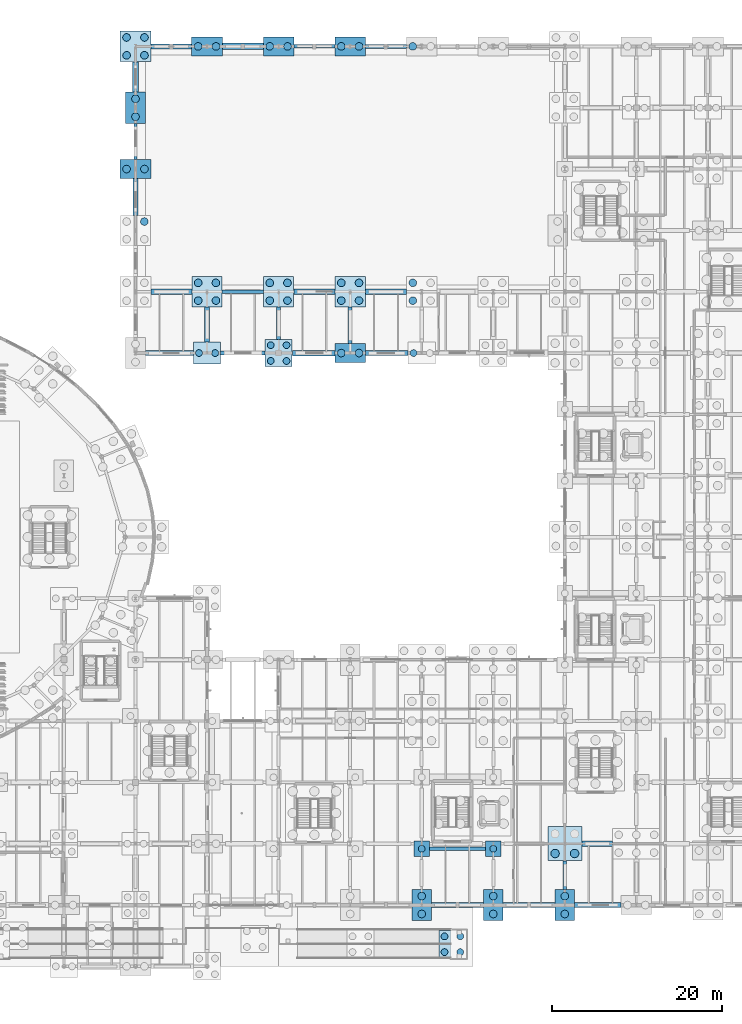
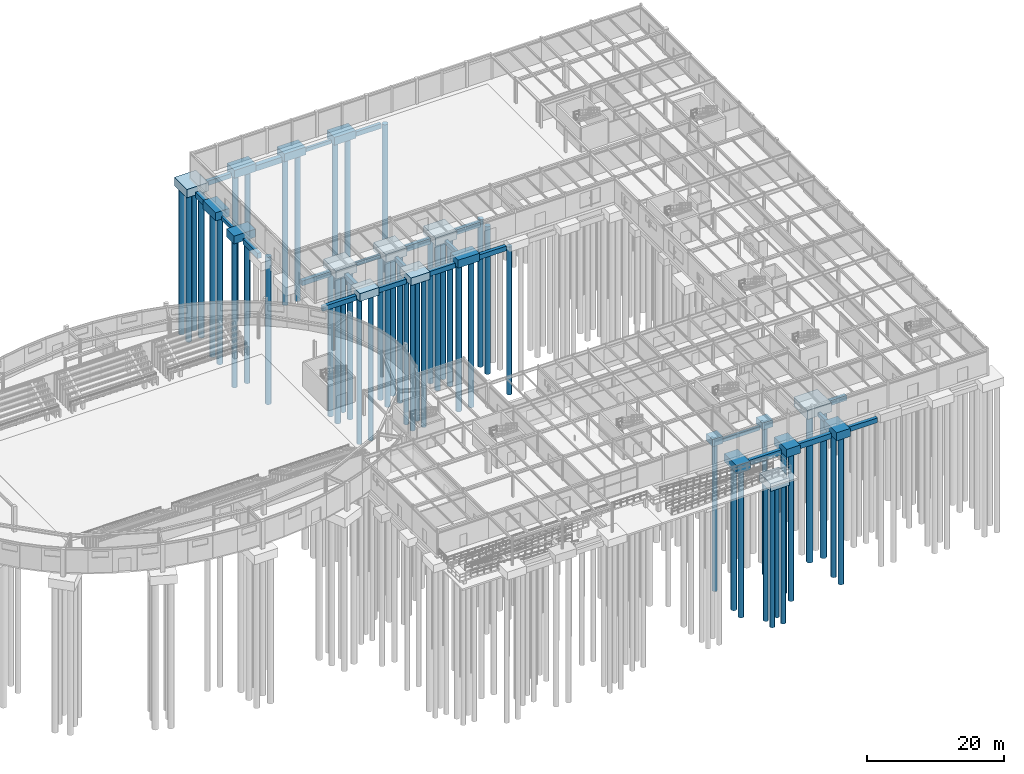
# One storey, part 5 of 93: 53 piles, 43 footings.
"""IFC4 building model written with IfcOpenShell, lengths in metres."""

from ifc_helpers import new_model, si_unit, derived_unit, direction, frame, origin, origin_2d, place, context, subcontext, project, spatial, rectangle, circle, extrude, material, material_profile, profile_set, type_object, element, save


model = new_model("IFC4")

# Units and contexts
model_context = context("Model", 3, precision=1e-05, world=origin(), true_north=direction((0.0, 1.0)))
body_context = subcontext(model_context, "Body", "Model", "MODEL_VIEW")
ifc_project = project(units=[si_unit("LENGTHUNIT", "METRE"), si_unit("AREAUNIT", "SQUARE_METRE"), si_unit("VOLUMEUNIT", "CUBIC_METRE"), si_unit("PLANEANGLEUNIT", "RADIAN"), si_unit("MASSUNIT", "GRAM", prefix="KILO"), derived_unit("THERMALTRANSMITTANCEUNIT", [(si_unit("MASSUNIT", "GRAM", prefix="KILO"), 1), (si_unit("TIMEUNIT", "SECOND"), -3), (si_unit("THERMODYNAMICTEMPERATUREUNIT", "KELVIN"), -1)])], contexts=[model_context])

# Site, building, storey
site_placement = place(None, origin())
site = spatial("IfcSite", under=ifc_project, at=site_placement, CompositionType="ELEMENT")
building_placement = place(site_placement, origin())
building = spatial("IfcBuilding", under=site, at=building_placement, Name="Kharveza Railside Sports Centre", CompositionType="ELEMENT")
storey_placement = place(building_placement, origin())
storey = spatial("IfcBuildingStorey", under=building, at=storey_placement, Name="L00", CompositionType="ELEMENT", Elevation=0.0)

# Footings
ifc_material = material(Name="Concrete C35/45", Category="concrete")
ifc_material_profile_1 = material_profile(ifc_material, rectangle(XDim=0.60009765625, YDim=0.800048828125, at=origin_2d()), Name="GB 600x800")
ifc_profile_set_1 = profile_set([ifc_material_profile_1], Name="Concrete C35/45")
footing_type_1 = type_object("IfcFootingType", Name="FT-GB01", PredefinedType="FOOTING_BEAM", material=ifc_profile_set_1)
footing_1_placement = place(storey_placement, frame((94.202880859375, 108.0, -1.800048828125), z_axis=(1.0, 0.0, 0.0), x_axis=(0.0, 1.0, 0.0)))
element("IfcFooting", 1, at=footing_1_placement, inside=storey, type_object=footing_type_1, Name="GB-EW-051", PredefinedType="FOOTING_BEAM", context=body_context, shape_type="SweptSolid", body=[
    extrude(rectangle(XDim=0.60009765625, YDim=0.800048828125, at=origin_2d()), origin(), (0.0, 0.0, 1.0), 4.794189453125),
])
ifc_material_profile_2 = material_profile(ifc_material, rectangle(XDim=0.550048828125, YDim=0.85009765625, at=origin_2d()), Name="GB 550x850")
ifc_profile_set_2 = profile_set([ifc_material_profile_2], Name="Concrete C35/45")
footing_type_2 = type_object("IfcFootingType", Name="FT-GB04", PredefinedType="FOOTING_BEAM", material=ifc_profile_set_2)
footing_2_placement = place(storey_placement, frame((93.552978515625, 72.0, -1.824951171875), z_axis=(1.0, 0.0, 0.0), x_axis=(0.0, 1.0, 0.0)))
element("IfcFooting", 2, at=footing_2_placement, inside=storey, type_object=footing_type_2, Name="GB-EW-044", PredefinedType="FOOTING_BEAM", context=body_context, shape_type="SweptSolid", body=[
    extrude(rectangle(XDim=0.550048828125, YDim=0.85009765625, at=origin_2d()), origin(), (0.0, 0.0, 1.0), 5.64404296875),
])
footing_3_placement = place(storey_placement, frame((119.403076171875, 72.0, -1.824951171875), z_axis=(1.0, 0.0, 0.0), x_axis=(0.0, 1.0, 0.0)))
element("IfcFooting", 3, at=footing_3_placement, inside=storey, type_object=footing_type_2, Name="GB-EW-074", PredefinedType="FOOTING_BEAM", context=body_context, shape_type="SweptSolid", body=[
    extrude(rectangle(XDim=0.550048828125, YDim=0.85009765625, at=origin_2d()), origin(), (0.0, 0.0, 1.0), 4.993896484375),
])
footing_4_placement = place(storey_placement, frame((143.952880859375, 7.199951171875, -1.824951171875), z_axis=(1.0, 0.0, 0.0), x_axis=(0.0, 1.0, 0.0)))
element("IfcFooting", 4, at=footing_4_placement, inside=storey, type_object=footing_type_2, Name="GB-EW-094", PredefinedType="FOOTING_BEAM", context=body_context, shape_type="SweptSolid", body=[
    extrude(rectangle(XDim=0.550048828125, YDim=0.85009765625, at=origin_2d()), origin(), (0.0, 0.0, 1.0), 5.444091796875),
])
ifc_material_profile_3 = material_profile(ifc_material, rectangle(XDim=0.449951171875, YDim=0.699951171875, at=origin_2d()), Name="GB 450x700")
ifc_profile_set_3 = profile_set([ifc_material_profile_3], Name="Concrete C35/45")
footing_type_3 = type_object("IfcFootingType", Name="FT-GB05", PredefinedType="FOOTING_BEAM", material=ifc_profile_set_3)
footing_5_placement = place(storey_placement, frame((117.60009765625, 73.10302734375, -1.75), z_axis=(0.0, 1.0, 0.0), x_axis=(-1.0, 0.0, 0.0)))
element("IfcFooting", 5, at=footing_5_placement, inside=storey, type_object=footing_type_3, Name="GB-NS-075", PredefinedType="FOOTING_BEAM", context=body_context, shape_type="SweptSolid", body=[
    extrude(rectangle(XDim=0.449951171875, YDim=0.699951171875, at=origin_2d()), origin(), (0.0, 0.0, 1.0), 4.319091796875),
])
footing_6_placement = place(storey_placement, frame((142.800048828125, 9.028076171875, -1.75), z_axis=(0.0, 1.0, 0.0), x_axis=(-1.0, 0.0, 0.0)))
element("IfcFooting", 6, at=footing_6_placement, inside=storey, type_object=footing_type_3, Name="GB-NS-095", PredefinedType="FOOTING_BEAM", context=body_context, shape_type="SweptSolid", body=[
    extrude(rectangle(XDim=0.449951171875, YDim=0.699951171875, at=origin_2d()), origin(), (0.0, 0.0, 1.0), 3.368896484375),
])
ifc_material_profile_4 = material_profile(ifc_material, rectangle(XDim=0.64990234375, YDim=0.85009765625, at=origin_2d()), Name="GB 650x850")
ifc_profile_set_4 = profile_set([ifc_material_profile_4], Name="Concrete C35/45")
footing_type_4 = type_object("IfcFootingType", Name="FT-GB06", PredefinedType="FOOTING_BEAM", material=ifc_profile_set_4)
footing_7_placement = place(storey_placement, frame((94.202880859375, 79.199951171875, -1.824951171875), z_axis=(1.0, 0.0, 0.0), x_axis=(0.0, 1.0, 0.0)))
element("IfcFooting", 7, at=footing_7_placement, inside=storey, type_object=footing_type_4, Name="GB-EW-046", PredefinedType="FOOTING_BEAM", context=body_context, shape_type="SweptSolid", body=[
    extrude(rectangle(XDim=0.64990234375, YDim=0.85009765625, at=origin_2d()), origin(), (0.0, 0.0, 1.0), 4.819091796875),
])
footing_8_placement = place(storey_placement, frame((110.802978515625, 72.0, -1.824951171875), z_axis=(1.0, 0.0, 0.0), x_axis=(0.0, 1.0, 0.0)))
element("IfcFooting", 8, at=footing_8_placement, inside=storey, type_object=footing_type_4, Name="GB-EW-066", PredefinedType="FOOTING_BEAM", context=body_context, shape_type="SweptSolid", body=[
    extrude(rectangle(XDim=0.64990234375, YDim=0.85009765625, at=origin_2d()), origin(), (0.0, 0.0, 1.0), 4.994140625),
])
footing_9_placement = place(storey_placement, frame((119.3779296875, 79.199951171875, -1.824951171875), z_axis=(1.0, 0.0, 0.0), x_axis=(0.0, 1.0, 0.0)))
element("IfcFooting", 9, at=footing_9_placement, inside=storey, type_object=footing_type_4, Name="GB-EW-076", PredefinedType="FOOTING_BEAM", context=body_context, shape_type="SweptSolid", body=[
    extrude(rectangle(XDim=0.64990234375, YDim=0.85009765625, at=origin_2d()), origin(), (0.0, 0.0, 1.0), 4.843994140625),
])
footing_10_placement = place(storey_placement, frame((144.802978515625, 14.39990234375, -1.824951171875), z_axis=(1.0, 0.0, 0.0), x_axis=(0.0, 1.0, 0.0)))
element("IfcFooting", 10, at=footing_10_placement, inside=storey, type_object=footing_type_4, Name="GB-EW-096", PredefinedType="FOOTING_BEAM", context=body_context, shape_type="SweptSolid", body=[
    extrude(rectangle(XDim=0.64990234375, YDim=0.85009765625, at=origin_2d()), origin(), (0.0, 0.0, 1.0), 3.593994140625),
])
ifc_material_profile_5 = material_profile(ifc_material, rectangle(XDim=0.5, YDim=0.85009765625, at=origin_2d()), Name="GB 500x850")
ifc_profile_set_5 = profile_set([ifc_material_profile_5], Name="Concrete C35/45")
footing_type_5 = type_object("IfcFootingType", Name="FT-GB07", PredefinedType="FOOTING_BEAM", material=ifc_profile_set_5)
footing_11_placement = place(storey_placement, frame((102.403076171875, 72.0, -1.824951171875), z_axis=(1.0, 0.0, 0.0), x_axis=(0.0, 1.0, 0.0)))
element("IfcFooting", 11, at=footing_11_placement, inside=storey, type_object=footing_type_5, Name="GB-EW-057", PredefinedType="FOOTING_BEAM", context=body_context, shape_type="SweptSolid", body=[
    extrude(rectangle(XDim=0.5, YDim=0.85009765625, at=origin_2d()), origin(), (0.0, 0.0, 1.0), 5.19384765625),
])
footing_12_placement = place(storey_placement, frame((109.199951171875, 73.60302734375, -1.824951171875), z_axis=(0.0, 1.0, 0.0), x_axis=(-1.0, 0.0, 0.0)))
element("IfcFooting", 12, at=footing_12_placement, inside=storey, type_object=footing_type_5, Name="GB-NS-067", PredefinedType="FOOTING_BEAM", context=body_context, shape_type="SweptSolid", body=[
    extrude(rectangle(XDim=0.5, YDim=0.85009765625, at=origin_2d()), origin(), (0.0, 0.0, 1.0), 3.819091796875),
])
footing_13_placement = place(storey_placement, frame((119.403076171875, 108.0, -1.824951171875), z_axis=(1.0, 0.0, 0.0), x_axis=(0.0, 1.0, 0.0)))
element("IfcFooting", 13, at=footing_13_placement, inside=storey, type_object=footing_type_5, Name="GB-EW-077", PredefinedType="FOOTING_BEAM", context=body_context, shape_type="SweptSolid", body=[
    extrude(rectangle(XDim=0.5, YDim=0.85009765625, at=origin_2d()), origin(), (0.0, 0.0, 1.0), 4.7939453125),
])
ifc_material_profile_6 = material_profile(ifc_material, rectangle(XDim=0.60009765625, YDim=0.949951171875, at=origin_2d()), Name="GB 600x950")
ifc_profile_set_6 = profile_set([ifc_material_profile_6], Name="Concrete C35/45")
footing_type_6 = type_object("IfcFootingType", Name="FT-GB08", PredefinedType="FOOTING_BEAM", material=ifc_profile_set_6)
footing_14_placement = place(storey_placement, frame((92.39990234375, 88.177978515625, -1.875), z_axis=(0.0, 1.0, 0.0), x_axis=(-1.0, 0.0, 0.0)))
element("IfcFooting", 14, at=footing_14_placement, inside=storey, type_object=footing_type_6, Name="GB-NS-048", PredefinedType="FOOTING_BEAM", context=body_context, shape_type="SweptSolid", body=[
    extrude(rectangle(XDim=0.60009765625, YDim=0.949951171875, at=origin_2d()), origin(), (0.0, 0.0, 1.0), 4.319091796875),
])
footing_15_placement = place(storey_placement, frame((100.800048828125, 73.302978515625, -1.875), z_axis=(0.0, 1.0, 0.0), x_axis=(-1.0, 0.0, 0.0)))
element("IfcFooting", 15, at=footing_15_placement, inside=storey, type_object=footing_type_6, Name="GB-NS-058", PredefinedType="FOOTING_BEAM", context=body_context, shape_type="SweptSolid", body=[
    extrude(rectangle(XDim=0.60009765625, YDim=0.949951171875, at=origin_2d()), origin(), (0.0, 0.0, 1.0), 4.119140625),
])
footing_16_placement = place(storey_placement, frame((110.97802734375, 79.199951171875, -1.875), z_axis=(1.0, 0.0, 0.0), x_axis=(0.0, 1.0, 0.0)))
element("IfcFooting", 16, at=footing_16_placement, inside=storey, type_object=footing_type_6, Name="GB-EW-068", PredefinedType="FOOTING_BEAM", context=body_context, shape_type="SweptSolid", body=[
    extrude(rectangle(XDim=0.60009765625, YDim=0.949951171875, at=origin_2d()), origin(), (0.0, 0.0, 1.0), 4.843994140625),
])
for number, where, z_axis, x_axis, name in (
    (17, (127.153076171875, 7.199951171875, -1.875), (1.0, 0.0, 0.0), (0.0, 1.0, 0.0), "GB-EW-078"),
    (18, (135.552978515625, 7.199951171875, -1.875), (1.0, 0.0, 0.0), (0.0, 1.0, 0.0), "GB-EW-088"),
):
    element("IfcFooting", number, at=place(storey_placement, frame(where, z_axis=z_axis, x_axis=x_axis)), inside=storey, type_object=footing_type_6, Name=name, PredefinedType="FOOTING_BEAM", context=body_context, shape_type="SweptSolid", body=[
        extrude(rectangle(XDim=0.60009765625, YDim=0.949951171875, at=origin_2d()), origin(), (0.0, 0.0, 1.0), 6.093994140625),
    ])
ifc_material_profile_7 = material_profile(ifc_material, rectangle(XDim=0.39990234375, YDim=0.64990234375, at=origin_2d()), Name="GB 400x650")
ifc_profile_set_7 = profile_set([ifc_material_profile_7], Name="Concrete C35/45")
footing_type_7 = type_object("IfcFootingType", Name="FT-GB09", PredefinedType="FOOTING_BEAM", material=ifc_profile_set_7)
footing_17_placement = place(storey_placement, frame((92.39990234375, 94.702880859375, -1.72509765625), z_axis=(0.0, 1.0, 0.0), x_axis=(-1.0, 0.0, 0.0)))
element("IfcFooting", 19, at=footing_17_placement, inside=storey, type_object=footing_type_7, Name="GB-NS-049", PredefinedType="FOOTING_BEAM", context=body_context, shape_type="SweptSolid", body=[
    extrude(rectangle(XDim=0.39990234375, YDim=0.64990234375, at=origin_2d()), origin(), (0.0, 0.0, 1.0), 4.26904296875),
])
footing_18_placement = place(storey_placement, frame((102.577880859375, 79.199951171875, -1.72509765625), z_axis=(1.0, 0.0, 0.0), x_axis=(0.0, 1.0, 0.0)))
element("IfcFooting", 20, at=footing_18_placement, inside=storey, type_object=footing_type_7, Name="GB-EW-059", PredefinedType="FOOTING_BEAM", context=body_context, shape_type="SweptSolid", body=[
    extrude(rectangle(XDim=0.39990234375, YDim=0.64990234375, at=origin_2d()), origin(), (0.0, 0.0, 1.0), 4.84423828125),
])
footing_19_placement = place(storey_placement, frame((111.0029296875, 108.0, -1.72509765625), z_axis=(1.0, 0.0, 0.0), x_axis=(0.0, 1.0, 0.0)))
element("IfcFooting", 21, at=footing_19_placement, inside=storey, type_object=footing_type_7, Name="GB-EW-069", PredefinedType="FOOTING_BEAM", context=body_context, shape_type="SweptSolid", body=[
    extrude(rectangle(XDim=0.39990234375, YDim=0.64990234375, at=origin_2d()), origin(), (0.0, 0.0, 1.0), 4.794189453125),
])
footing_20_placement = place(storey_placement, frame((126.903076171875, 13.800048828125, -1.72509765625), z_axis=(1.0, 0.0, 0.0), x_axis=(0.0, 1.0, 0.0)))
element("IfcFooting", 22, at=footing_20_placement, inside=storey, type_object=footing_type_7, Name="GB-EW-079", PredefinedType="FOOTING_BEAM", context=body_context, shape_type="SweptSolid", body=[
    extrude(rectangle(XDim=0.39990234375, YDim=0.64990234375, at=origin_2d()), origin(), (0.0, 0.0, 1.0), 6.593994140625),
])
ifc_material_profile_8 = material_profile(ifc_material, rectangle(XDim=0.75, YDim=1.0, at=origin_2d()), Name="GB 750x1000")
ifc_profile_set_8 = profile_set([ifc_material_profile_8], Name="Concrete C35/45")
footing_type_8 = type_object("IfcFootingType", Name="FT-GB10", PredefinedType="FOOTING_BEAM", material=ifc_profile_set_8)
footing_21_placement = place(storey_placement, frame((92.39990234375, 102.6279296875, -1.89990234375), z_axis=(0.0, 1.0, 0.0), x_axis=(-1.0, 0.0, 0.0)))
element("IfcFooting", 23, at=footing_21_placement, inside=storey, type_object=footing_type_8, Name="GB-NS-050", PredefinedType="FOOTING_BEAM", context=body_context, shape_type="SweptSolid", body=[
    extrude(rectangle(XDim=0.75, YDim=1.0, at=origin_2d()), origin(), (0.0, 0.0, 1.0), 3.569091796875),
])
footing_22_placement = place(storey_placement, frame((102.60302734375, 108.0, -1.89990234375), z_axis=(1.0, 0.0, 0.0), x_axis=(0.0, 1.0, 0.0)))
element("IfcFooting", 24, at=footing_22_placement, inside=storey, type_object=footing_type_8, Name="GB-EW-060", PredefinedType="FOOTING_BEAM", context=body_context, shape_type="SweptSolid", body=[
    extrude(rectangle(XDim=0.75, YDim=1.0, at=origin_2d()), origin(), (0.0, 0.0, 1.0), 4.7939453125),
])
footing_type_9 = type_object("IfcFootingType", Name="FT-PC01", PredefinedType="PILE_CAP", material=ifc_material)
footing_23_placement = place(storey_placement, frame((100.800048828125, 72.0, -1.820068359375), z_axis=(0.0, 0.0, 1.0), x_axis=(1.0, 0.0, 0.0)))
element("IfcFooting", 25, at=footing_23_placement, inside=storey, type_object=footing_type_9, Name="FCAP-GRD-052", PredefinedType="PILE_CAP", context=body_context, shape_type="SweptSolid", body=[
    extrude(rectangle(XDim=3.199951171875, YDim=2.60009765625, at=origin_2d()), origin(), (0.0, 0.0, 1.0), 1.39990234375),
])
footing_type_10 = type_object("IfcFootingType", Name="FT-PC02", PredefinedType="PILE_CAP", material=ifc_material)
for number, where, z_axis, x_axis, name in (
    (26, (92.39990234375, 93.60009765625, -1.820068359375), (0.0, 0.0, 1.0), (1.0, 0.0, 0.0), "FCAP-GRD-042"),
    (27, (100.800048828125, 108.0, -1.820068359375), (0.0, 0.0, 1.0), (1.0, 0.0, 0.0), "FCAP-GRD-054"),
    (28, (109.199951171875, 108.0, -1.820068359375), (0.0, 0.0, 1.0), (1.0, 0.0, 0.0), "FCAP-GRD-062"),
    (29, (117.60009765625, 72.0, -1.820068359375), (0.0, 0.0, 1.0), (1.0, 0.0, 0.0), "FCAP-GRD-068"),
    (30, (117.60009765625, 108.0, -1.820068359375), (0.0, 0.0, 1.0), (1.0, 0.0, 0.0), "FCAP-GRD-070"),
):
    element("IfcFooting", number, at=place(storey_placement, frame(where, z_axis=z_axis, x_axis=x_axis)), inside=storey, type_object=footing_type_10, Name=name, PredefinedType="PILE_CAP", context=body_context, shape_type="SweptSolid", body=[
        extrude(rectangle(XDim=3.60009765625, YDim=2.199951171875, at=origin_2d()), origin(), (0.0, 0.0, 1.0), 1.39990234375),
    ])
footing_type_11 = type_object("IfcFootingType", Name="FT-PC03", PredefinedType="PILE_CAP", material=ifc_material)
for number, where, z_axis, x_axis, name in (
    (31, (92.39990234375, 100.800048828125, -1.8701171875), (0.0, 0.0, 1.0), (1.0, 0.0, 0.0), "FCAP-GRD-043"),
    (32, (126.0, 7.199951171875, -1.8701171875), (0.0, 0.0, 1.0), (1.0, 0.0, 0.0), "FCAP-GRD-071"),
    (33, (134.39990234375, 7.199951171875, -1.8701171875), (0.0, 0.0, 1.0), (1.0, 0.0, 0.0), "FCAP-GRD-079"),
    (34, (142.800048828125, 7.199951171875, -1.8701171875), (0.0, 0.0, 1.0), (1.0, 0.0, 0.0), "FCAP-GRD-087"),
):
    element("IfcFooting", number, at=place(storey_placement, frame(where, z_axis=z_axis, x_axis=x_axis)), inside=storey, type_object=footing_type_11, Name=name, PredefinedType="PILE_CAP", context=body_context, shape_type="SweptSolid", body=[
        extrude(rectangle(XDim=2.300048828125, YDim=3.64990234375, at=origin_2d()), origin(), (0.0, 0.0, 1.0), 1.449951171875),
    ])
footing_type_12 = type_object("IfcFootingType", Name="FT-PC04", PredefinedType="PILE_CAP", material=ifc_material)
footing_24_placement = place(storey_placement, frame((92.39990234375, 108.0, -1.919921875), z_axis=(0.0, 0.0, 1.0), x_axis=(1.0, 0.0, 0.0)))
element("IfcFooting", 35, at=footing_24_placement, inside=storey, type_object=footing_type_12, Name="FCAP-GRD-044", PredefinedType="PILE_CAP", context=body_context, shape_type="SweptSolid", body=[
    extrude(rectangle(XDim=3.60009765625, YDim=3.60009765625, at=origin_2d()), origin(), (0.0, 0.0, 1.0), 1.5),
])
footing_type_13 = type_object("IfcFootingType", Name="FT-PC05", PredefinedType="PILE_CAP", material=ifc_material)
footing_25_placement = place(storey_placement, frame((142.800048828125, 14.39990234375, -2.02001953125), z_axis=(0.0, 0.0, 1.0), x_axis=(1.0, 0.0, 0.0)))
element("IfcFooting", 36, at=footing_25_placement, inside=storey, type_object=footing_type_13, Name="FCAP-GRD-088", PredefinedType="PILE_CAP", context=body_context, shape_type="SweptSolid", body=[
    extrude(rectangle(XDim=4.0, YDim=4.0, at=origin_2d()), origin(), (0.0, 0.0, 1.0), 1.60009765625),
])
footing_type_14 = type_object("IfcFootingType", Name="FT-PC10", PredefinedType="PILE_CAP", material=ifc_material)
for number, where, z_axis, x_axis, name in (
    (37, (129.60009765625, 2.60009765625, -3.41015625), (0.0, 0.0, 1.0), (1.0, 0.0, 0.0), "FCAP-APR-5"),
    (38, (109.199951171875, 72.0, -1.77001953125), (0.0, 0.0, 1.0), (1.0, 0.0, 0.0), "FCAP-GRD-060"),
):
    element("IfcFooting", number, at=place(storey_placement, frame(where, z_axis=z_axis, x_axis=x_axis)), inside=storey, type_object=footing_type_14, Name=name, PredefinedType="PILE_CAP", context=body_context, shape_type="SweptSolid", body=[
        extrude(rectangle(XDim=3.199951171875, YDim=3.199951171875, at=origin_2d()), origin(), (0.0, 0.0, 1.0), 1.35009765625),
    ])
footing_type_15 = type_object("IfcFootingType", Name="FT-PC11", PredefinedType="PILE_CAP", material=ifc_material)
for number, where, z_axis, x_axis, name in (
    (39, (100.800048828125, 79.199951171875, -1.8701171875), (0.0, 0.0, 1.0), (1.0, 0.0, 0.0), "FCAP-GRD-053"),
    (40, (109.199951171875, 79.199951171875, -1.8701171875), (0.0, 0.0, 1.0), (1.0, 0.0, 0.0), "FCAP-GRD-061"),
    (41, (117.60009765625, 79.199951171875, -1.8701171875), (0.0, 0.0, 1.0), (1.0, 0.0, 0.0), "FCAP-GRD-069"),
):
    element("IfcFooting", number, at=place(storey_placement, frame(where, z_axis=z_axis, x_axis=x_axis)), inside=storey, type_object=footing_type_15, Name=name, PredefinedType="PILE_CAP", context=body_context, shape_type="SweptSolid", body=[
        extrude(rectangle(XDim=3.550048828125, YDim=3.550048828125, at=origin_2d()), origin(), (0.0, 0.0, 1.0), 1.449951171875),
    ])
footing_type_16 = type_object("IfcFootingType", Name="FT-PC13", PredefinedType="PILE_CAP", material=ifc_material)
for number, where, z_axis, x_axis, name in (
    (42, (126.0, 13.800048828125, -1.669921875), (0.0, 0.0, 1.0), (1.0, 0.0, 0.0), "FCAP-GRD-072"),
    (43, (134.39990234375, 13.800048828125, -1.669921875), (0.0, 0.0, 1.0), (1.0, 0.0, 0.0), "FCAP-GRD-080"),
):
    element("IfcFooting", number, at=place(storey_placement, frame(where, z_axis=z_axis, x_axis=x_axis)), inside=storey, type_object=footing_type_16, Name=name, PredefinedType="PILE_CAP", context=body_context, shape_type="SweptSolid", body=[
        extrude(rectangle(XDim=1.800048828125, YDim=1.800048828125, at=origin_2d()), origin(), (0.0, 0.0, 1.0), 1.25),
    ])

# Piles
ifc_material_profile_9 = material_profile(ifc_material, circle(Radius=0.5, at=origin_2d()), Name="PILE D1000")
ifc_profile_set_9 = profile_set([ifc_material_profile_9], Name="Concrete C35/45")
pile_type_1 = type_object("IfcPileType", Name="PL-B1000", PredefinedType="BORED", material=ifc_profile_set_9)
for number, where, z_axis, x_axis, name in (
    (44, (141.64990234375, 13.25, -1.919921875), (0.0, 0.0, -1.0), (1.0, 0.0, 0.0), "FCAP-GRD-088-P02-PL1"),
    (45, (143.949951171875, 13.25, -1.919921875), (0.0, 0.0, -1.0), (1.0, 0.0, 0.0), "FCAP-GRD-088-P02-PL2"),
):
    element("IfcPile", number, at=place(storey_placement, frame(where, z_axis=z_axis, x_axis=x_axis)), inside=storey, type_object=pile_type_1, Name=name, PredefinedType="BORED", context=body_context, shape_type="SweptSolid", body=[
        extrude(circle(Radius=0.5, at=origin_2d()), origin(), (0.0, 0.0, 1.0), 26.080078125),
    ])
ifc_material_profile_10 = material_profile(ifc_material, circle(Radius=0.39990234375, at=origin_2d()), Name="PILE D800")
ifc_profile_set_10 = profile_set([ifc_material_profile_10], Name="Concrete C35/45")
pile_type_2 = type_object("IfcPileType", Name="PL-B800", PredefinedType="BORED", material=ifc_profile_set_10)
for number, where, z_axis, x_axis, name in (
    (46, (128.675048828125, 1.675048828125, -3.31005859375), (0.0, 0.0, -1.0), (1.0, 0.0, 0.0), "FCAP-APR-5-P04-PL1"),
    (47, (130.52490234375, 1.675048828125, -3.31005859375), (0.0, 0.0, -1.0), (1.0, 0.0, 0.0), "FCAP-APR-5-P04-PL2"),
    (48, (128.675048828125, 3.52490234375, -3.31005859375), (0.0, 0.0, -1.0), (1.0, 0.0, 0.0), "FCAP-APR-5-P04-PL3"),
    (49, (130.52490234375, 3.52490234375, -3.31005859375), (0.0, 0.0, -1.0), (1.0, 0.0, 0.0), "FCAP-APR-5-P04-PL4"),
):
    element("IfcPile", number, at=place(storey_placement, frame(where, z_axis=z_axis, x_axis=x_axis)), inside=storey, type_object=pile_type_2, Name=name, PredefinedType="BORED", context=body_context, shape_type="SweptSolid", body=[
        extrude(circle(Radius=0.39990234375, at=origin_2d()), origin(), (0.0, 0.0, 1.0), 24.68994140625),
    ])
for number, where, z_axis, x_axis, name in (
    (50, (99.85009765625, 72.0, -1.719970703125), (0.0, 0.0, -1.0), (1.0, 0.0, 0.0), "FCAP-GRD-052-P04-PL1"),
    (51, (101.75, 72.0, -1.719970703125), (0.0, 0.0, -1.0), (1.0, 0.0, 0.0), "FCAP-GRD-052-P04-PL2"),
):
    element("IfcPile", number, at=place(storey_placement, frame(where, z_axis=z_axis, x_axis=x_axis)), inside=storey, type_object=pile_type_2, Name=name, PredefinedType="BORED", context=body_context, shape_type="SweptSolid", body=[
        extrude(circle(Radius=0.39990234375, at=origin_2d()), origin(), (0.0, 0.0, 1.0), 26.280029296875),
    ])
for number, where, z_axis, x_axis, name in (
    (52, (108.27490234375, 71.074951171875, -1.669921875), (0.0, 0.0, -1.0), (1.0, 0.0, 0.0), "FCAP-GRD-060-P04-PL1"),
    (53, (110.125, 71.074951171875, -1.669921875), (0.0, 0.0, -1.0), (1.0, 0.0, 0.0), "FCAP-GRD-060-P04-PL2"),
    (54, (108.27490234375, 72.925048828125, -1.669921875), (0.0, 0.0, -1.0), (1.0, 0.0, 0.0), "FCAP-GRD-060-P04-PL3"),
    (55, (110.125, 72.925048828125, -1.669921875), (0.0, 0.0, -1.0), (1.0, 0.0, 0.0), "FCAP-GRD-060-P04-PL4"),
):
    element("IfcPile", number, at=place(storey_placement, frame(where, z_axis=z_axis, x_axis=x_axis)), inside=storey, type_object=pile_type_2, Name=name, PredefinedType="BORED", context=body_context, shape_type="SweptSolid", body=[
        extrude(circle(Radius=0.39990234375, at=origin_2d()), origin(), (0.0, 0.0, 1.0), 26.330078125),
    ])
pile_1_placement = place(storey_placement, frame((126.0, 13.800048828125, -1.570068359375), z_axis=(0.0, 0.0, -1.0), x_axis=(1.0, 0.0, 0.0)))
element("IfcPile", 56, at=pile_1_placement, inside=storey, type_object=pile_type_2, Name="FCAP-GRD-072-P04-PL1", PredefinedType="BORED", context=body_context, shape_type="SweptSolid", body=[
    extrude(circle(Radius=0.39990234375, at=origin_2d()), origin(), (0.0, 0.0, 1.0), 26.429931640625),
])
pile_2_placement = place(storey_placement, frame((125.050048828125, 72.0, -1.719970703125), z_axis=(0.0, 0.0, -1.0), x_axis=(1.0, 0.0, 0.0)))
element("IfcPile", 57, at=pile_2_placement, inside=storey, type_object=pile_type_2, Name="FCAP-GRD-076-P04-PL1", PredefinedType="BORED", context=body_context, shape_type="SweptSolid", body=[
    extrude(circle(Radius=0.39990234375, at=origin_2d()), origin(), (0.0, 0.0, 1.0), 26.280029296875),
])
pile_3_placement = place(storey_placement, frame((134.39990234375, 13.800048828125, -1.570068359375), z_axis=(0.0, 0.0, -1.0), x_axis=(1.0, 0.0, 0.0)))
element("IfcPile", 58, at=pile_3_placement, inside=storey, type_object=pile_type_2, Name="FCAP-GRD-080-P04-PL1", PredefinedType="BORED", context=body_context, shape_type="SweptSolid", body=[
    extrude(circle(Radius=0.39990234375, at=origin_2d()), origin(), (0.0, 0.0, 1.0), 26.429931640625),
])
ifc_material_profile_11 = material_profile(ifc_material, circle(Radius=0.449951171875, at=origin_2d()), Name="PILE D900")
ifc_profile_set_11 = profile_set([ifc_material_profile_11], Name="Concrete C35/45")
pile_type_3 = type_object("IfcPileType", Name="PL-B900", PredefinedType="BORED", material=ifc_profile_set_11)
pile_4_placement = place(storey_placement, frame((93.43994140625, 87.43994140625, -1.77001953125), z_axis=(0.0, 0.0, -1.0), x_axis=(1.0, 0.0, 0.0)))
element("IfcPile", 59, at=pile_4_placement, inside=storey, type_object=pile_type_3, Name="FCAP-GRD-041-P01-PL4", PredefinedType="BORED", context=body_context, shape_type="SweptSolid", body=[
    extrude(circle(Radius=0.449951171875, at=origin_2d()), origin(), (0.0, 0.0, 1.0), 26.22998046875),
])
for number, where, z_axis, x_axis, name in (
    (60, (91.35009765625, 93.60009765625, -1.719970703125), (0.0, 0.0, -1.0), (1.0, 0.0, 0.0), "FCAP-GRD-042-P01-PL1"),
    (61, (93.449951171875, 93.60009765625, -1.719970703125), (0.0, 0.0, -1.0), (1.0, 0.0, 0.0), "FCAP-GRD-042-P01-PL2"),
):
    element("IfcPile", number, at=place(storey_placement, frame(where, z_axis=z_axis, x_axis=x_axis)), inside=storey, type_object=pile_type_3, Name=name, PredefinedType="BORED", context=body_context, shape_type="SweptSolid", body=[
        extrude(circle(Radius=0.449951171875, at=origin_2d()), origin(), (0.0, 0.0, 1.0), 26.280029296875),
    ])
for number, where, z_axis, x_axis, name in (
    (62, (92.39990234375, 99.75, -1.77001953125), (0.0, 0.0, -1.0), (1.0, 0.0, 0.0), "FCAP-GRD-043-P01-PL1"),
    (63, (92.39990234375, 101.85009765625, -1.77001953125), (0.0, 0.0, -1.0), (1.0, 0.0, 0.0), "FCAP-GRD-043-P01-PL2"),
):
    element("IfcPile", number, at=place(storey_placement, frame(where, z_axis=z_axis, x_axis=x_axis)), inside=storey, type_object=pile_type_3, Name=name, PredefinedType="BORED", context=body_context, shape_type="SweptSolid", body=[
        extrude(circle(Radius=0.449951171875, at=origin_2d()), origin(), (0.0, 0.0, 1.0), 26.22998046875),
    ])
for number, where, z_axis, x_axis, name in (
    (64, (91.35009765625, 106.949951171875, -1.820068359375), (0.0, 0.0, -1.0), (1.0, 0.0, 0.0), "FCAP-GRD-044-P01-PL1"),
    (65, (93.449951171875, 106.949951171875, -1.820068359375), (0.0, 0.0, -1.0), (1.0, 0.0, 0.0), "FCAP-GRD-044-P01-PL2"),
    (66, (91.35009765625, 109.050048828125, -1.820068359375), (0.0, 0.0, -1.0), (1.0, 0.0, 0.0), "FCAP-GRD-044-P01-PL3"),
    (67, (93.449951171875, 109.050048828125, -1.820068359375), (0.0, 0.0, -1.0), (1.0, 0.0, 0.0), "FCAP-GRD-044-P01-PL4"),
):
    element("IfcPile", number, at=place(storey_placement, frame(where, z_axis=z_axis, x_axis=x_axis)), inside=storey, type_object=pile_type_3, Name=name, PredefinedType="BORED", context=body_context, shape_type="SweptSolid", body=[
        extrude(circle(Radius=0.449951171875, at=origin_2d()), origin(), (0.0, 0.0, 1.0), 26.179931640625),
    ])
for number, where, z_axis, x_axis, name in (
    (68, (99.760009765625, 78.159912109375, -1.77001953125), (0.0, 0.0, -1.0), (1.0, 0.0, 0.0), "FCAP-GRD-053-P01-PL1"),
    (69, (101.840087890625, 78.159912109375, -1.77001953125), (0.0, 0.0, -1.0), (1.0, 0.0, 0.0), "FCAP-GRD-053-P01-PL2"),
    (70, (99.760009765625, 80.239990234375, -1.77001953125), (0.0, 0.0, -1.0), (1.0, 0.0, 0.0), "FCAP-GRD-053-P01-PL3"),
    (71, (101.840087890625, 80.239990234375, -1.77001953125), (0.0, 0.0, -1.0), (1.0, 0.0, 0.0), "FCAP-GRD-053-P01-PL4"),
):
    element("IfcPile", number, at=place(storey_placement, frame(where, z_axis=z_axis, x_axis=x_axis)), inside=storey, type_object=pile_type_3, Name=name, PredefinedType="BORED", context=body_context, shape_type="SweptSolid", body=[
        extrude(circle(Radius=0.449951171875, at=origin_2d()), origin(), (0.0, 0.0, 1.0), 26.22998046875),
    ])
for number, where, z_axis, x_axis, name in (
    (72, (99.75, 108.0, -1.719970703125), (0.0, 0.0, -1.0), (1.0, 0.0, 0.0), "FCAP-GRD-054-P01-PL1"),
    (73, (101.85009765625, 108.0, -1.719970703125), (0.0, 0.0, -1.0), (1.0, 0.0, 0.0), "FCAP-GRD-054-P01-PL2"),
):
    element("IfcPile", number, at=place(storey_placement, frame(where, z_axis=z_axis, x_axis=x_axis)), inside=storey, type_object=pile_type_3, Name=name, PredefinedType="BORED", context=body_context, shape_type="SweptSolid", body=[
        extrude(circle(Radius=0.449951171875, at=origin_2d()), origin(), (0.0, 0.0, 1.0), 26.280029296875),
    ])
for number, where, z_axis, x_axis, name in (
    (74, (108.159912109375, 78.159912109375, -1.77001953125), (0.0, 0.0, -1.0), (1.0, 0.0, 0.0), "FCAP-GRD-061-P01-PL1"),
    (75, (110.239990234375, 78.159912109375, -1.77001953125), (0.0, 0.0, -1.0), (1.0, 0.0, 0.0), "FCAP-GRD-061-P01-PL2"),
    (76, (108.159912109375, 80.239990234375, -1.77001953125), (0.0, 0.0, -1.0), (1.0, 0.0, 0.0), "FCAP-GRD-061-P01-PL3"),
    (77, (110.239990234375, 80.239990234375, -1.77001953125), (0.0, 0.0, -1.0), (1.0, 0.0, 0.0), "FCAP-GRD-061-P01-PL4"),
):
    element("IfcPile", number, at=place(storey_placement, frame(where, z_axis=z_axis, x_axis=x_axis)), inside=storey, type_object=pile_type_3, Name=name, PredefinedType="BORED", context=body_context, shape_type="SweptSolid", body=[
        extrude(circle(Radius=0.449951171875, at=origin_2d()), origin(), (0.0, 0.0, 1.0), 26.22998046875),
    ])
for number, where, z_axis, x_axis, name in (
    (78, (108.14990234375, 108.0, -1.719970703125), (0.0, 0.0, -1.0), (1.0, 0.0, 0.0), "FCAP-GRD-062-P01-PL1"),
    (79, (110.25, 108.0, -1.719970703125), (0.0, 0.0, -1.0), (1.0, 0.0, 0.0), "FCAP-GRD-062-P01-PL2"),
    (80, (116.550048828125, 72.0, -1.719970703125), (0.0, 0.0, -1.0), (1.0, 0.0, 0.0), "FCAP-GRD-068-P01-PL1"),
    (81, (118.64990234375, 72.0, -1.719970703125), (0.0, 0.0, -1.0), (1.0, 0.0, 0.0), "FCAP-GRD-068-P01-PL2"),
):
    element("IfcPile", number, at=place(storey_placement, frame(where, z_axis=z_axis, x_axis=x_axis)), inside=storey, type_object=pile_type_3, Name=name, PredefinedType="BORED", context=body_context, shape_type="SweptSolid", body=[
        extrude(circle(Radius=0.449951171875, at=origin_2d()), origin(), (0.0, 0.0, 1.0), 26.280029296875),
    ])
for number, where, z_axis, x_axis, name in (
    (82, (116.56005859375, 78.159912109375, -1.77001953125), (0.0, 0.0, -1.0), (1.0, 0.0, 0.0), "FCAP-GRD-069-P01-PL1"),
    (83, (118.639892578125, 78.159912109375, -1.77001953125), (0.0, 0.0, -1.0), (1.0, 0.0, 0.0), "FCAP-GRD-069-P01-PL2"),
    (84, (116.56005859375, 80.239990234375, -1.77001953125), (0.0, 0.0, -1.0), (1.0, 0.0, 0.0), "FCAP-GRD-069-P01-PL3"),
    (85, (118.639892578125, 80.239990234375, -1.77001953125), (0.0, 0.0, -1.0), (1.0, 0.0, 0.0), "FCAP-GRD-069-P01-PL4"),
):
    element("IfcPile", number, at=place(storey_placement, frame(where, z_axis=z_axis, x_axis=x_axis)), inside=storey, type_object=pile_type_3, Name=name, PredefinedType="BORED", context=body_context, shape_type="SweptSolid", body=[
        extrude(circle(Radius=0.449951171875, at=origin_2d()), origin(), (0.0, 0.0, 1.0), 26.22998046875),
    ])
for number, where, z_axis, x_axis, name in (
    (86, (116.550048828125, 108.0, -1.719970703125), (0.0, 0.0, -1.0), (1.0, 0.0, 0.0), "FCAP-GRD-070-P01-PL1"),
    (87, (118.64990234375, 108.0, -1.719970703125), (0.0, 0.0, -1.0), (1.0, 0.0, 0.0), "FCAP-GRD-070-P01-PL2"),
):
    element("IfcPile", number, at=place(storey_placement, frame(where, z_axis=z_axis, x_axis=x_axis)), inside=storey, type_object=pile_type_3, Name=name, PredefinedType="BORED", context=body_context, shape_type="SweptSolid", body=[
        extrude(circle(Radius=0.449951171875, at=origin_2d()), origin(), (0.0, 0.0, 1.0), 26.280029296875),
    ])
for number, where, z_axis, x_axis, name in (
    (88, (126.0, 6.14990234375, -1.77001953125), (0.0, 0.0, -1.0), (1.0, 0.0, 0.0), "FCAP-GRD-071-P01-PL1"),
    (89, (126.0, 8.25, -1.77001953125), (0.0, 0.0, -1.0), (1.0, 0.0, 0.0), "FCAP-GRD-071-P01-PL2"),
    (90, (124.9599609375, 78.159912109375, -1.77001953125), (0.0, 0.0, -1.0), (1.0, 0.0, 0.0), "FCAP-GRD-077-P01-PL1"),
    (91, (124.9599609375, 80.239990234375, -1.77001953125), (0.0, 0.0, -1.0), (1.0, 0.0, 0.0), "FCAP-GRD-077-P01-PL3"),
):
    element("IfcPile", number, at=place(storey_placement, frame(where, z_axis=z_axis, x_axis=x_axis)), inside=storey, type_object=pile_type_3, Name=name, PredefinedType="BORED", context=body_context, shape_type="SweptSolid", body=[
        extrude(circle(Radius=0.449951171875, at=origin_2d()), origin(), (0.0, 0.0, 1.0), 26.22998046875),
    ])
pile_5_placement = place(storey_placement, frame((124.949951171875, 108.0, -1.719970703125), z_axis=(0.0, 0.0, -1.0), x_axis=(1.0, 0.0, 0.0)))
element("IfcPile", 92, at=pile_5_placement, inside=storey, type_object=pile_type_3, Name="FCAP-GRD-078-P01-PL1", PredefinedType="BORED", context=body_context, shape_type="SweptSolid", body=[
    extrude(circle(Radius=0.449951171875, at=origin_2d()), origin(), (0.0, 0.0, 1.0), 26.280029296875),
])
for number, where, z_axis, x_axis, name in (
    (93, (134.39990234375, 6.14990234375, -1.77001953125), (0.0, 0.0, -1.0), (1.0, 0.0, 0.0), "FCAP-GRD-079-P01-PL1"),
    (94, (134.39990234375, 8.25, -1.77001953125), (0.0, 0.0, -1.0), (1.0, 0.0, 0.0), "FCAP-GRD-079-P01-PL2"),
    (95, (142.800048828125, 6.14990234375, -1.77001953125), (0.0, 0.0, -1.0), (1.0, 0.0, 0.0), "FCAP-GRD-087-P01-PL1"),
    (96, (142.800048828125, 8.25, -1.77001953125), (0.0, 0.0, -1.0), (1.0, 0.0, 0.0), "FCAP-GRD-087-P01-PL2"),
):
    element("IfcPile", number, at=place(storey_placement, frame(where, z_axis=z_axis, x_axis=x_axis)), inside=storey, type_object=pile_type_3, Name=name, PredefinedType="BORED", context=body_context, shape_type="SweptSolid", body=[
        extrude(circle(Radius=0.449951171875, at=origin_2d()), origin(), (0.0, 0.0, 1.0), 26.22998046875),
    ])

save(model, "model.ifc")
